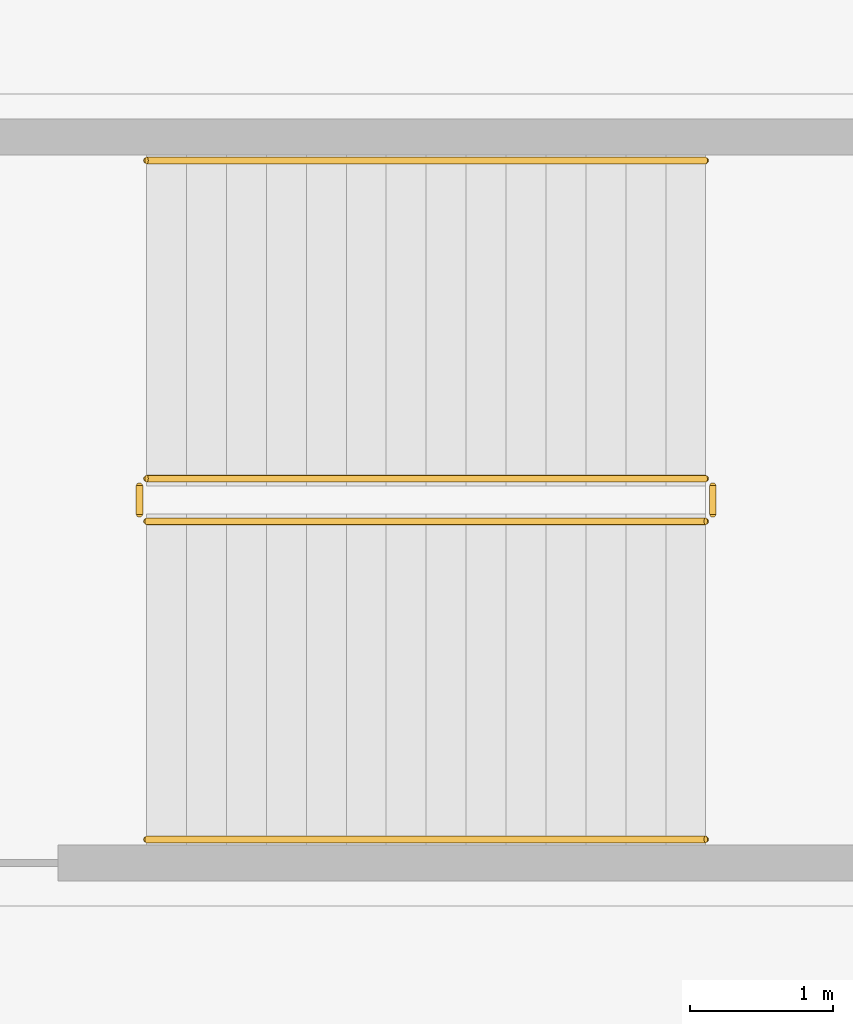
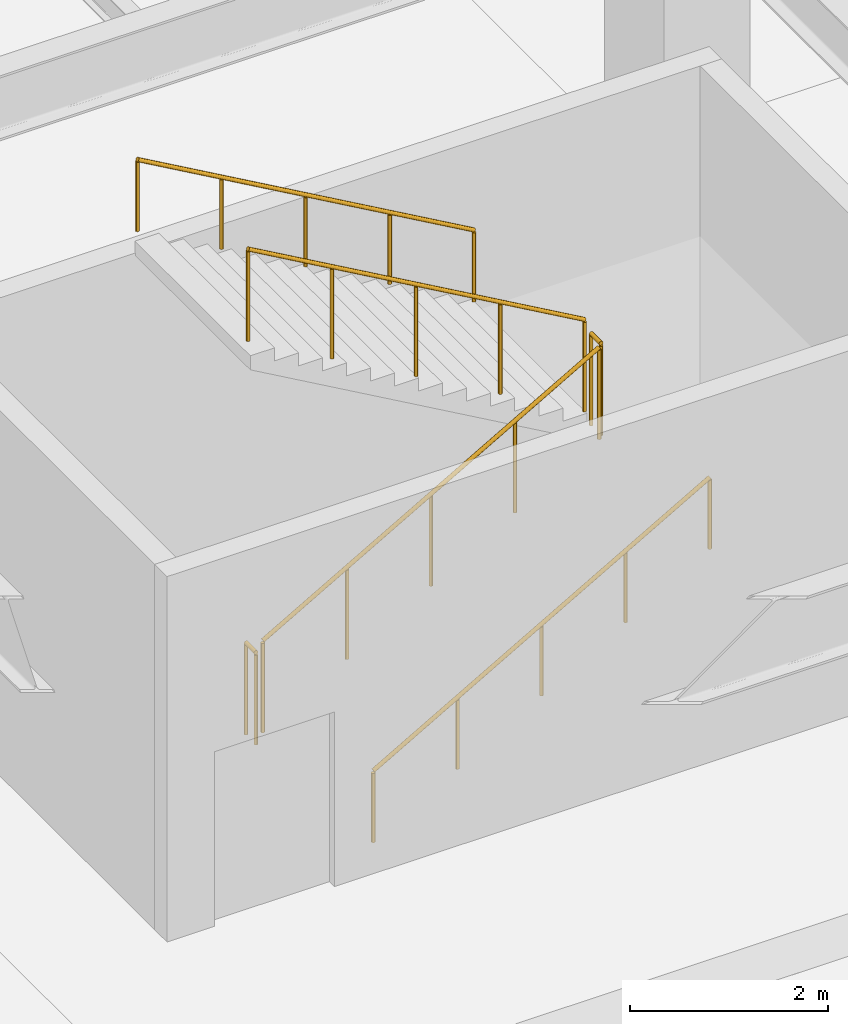
# One storey, part 55 of 56: 6 railings.
"""IFC4 building model written with IfcOpenShell, lengths in metres."""

from ifc_helpers import new_model, si_unit, direction, frame, origin, origin_2d, place, context, subcontext, project, spatial, circle, extrude, material, layer, layer_set, type_object, element, save


model = new_model("IFC4")

# Units and contexts
model_context = context("Model", 3, precision=1e-05, world=origin(), true_north=direction((0.0, 1.0)))
body_context = subcontext(model_context, "Body", "Model", "MODEL_VIEW")
ifc_project = project(units=[si_unit("LENGTHUNIT", "METRE"), si_unit("AREAUNIT", "SQUARE_METRE"), si_unit("VOLUMEUNIT", "CUBIC_METRE"), si_unit("PLANEANGLEUNIT", "RADIAN"), si_unit("MASSUNIT", "GRAM", prefix="KILO")], contexts=[model_context])

# Site, building, storey
site_placement = place(None, origin())
site = spatial("IfcSite", under=ifc_project, at=site_placement, CompositionType="ELEMENT")
building_placement = place(site_placement, origin())
building = spatial("IfcBuilding", under=site, at=building_placement, Name="Kazenohara Klinker Stadium", CompositionType="ELEMENT")
storey_placement = place(building_placement, frame((0.0, 0.0, -4.800048828125)))
storey = spatial("IfcBuildingStorey", under=building, at=storey_placement, Name="B01", CompositionType="ELEMENT", Elevation=-4.800048828125)

# Railings
ifc_material_1 = material(Name="Brushed stainless steel 304 handrail", Category="steel")
ifc_layer_1 = layer(ifc_material_1, 0.050048828125)
ifc_layer_set_1 = layer_set([ifc_layer_1], Name="Brushed stainless steel 304 handrail")
railing_type_1 = type_object("IfcRailingType", Name="RL-HND-900", PredefinedType="HANDRAIL", material=ifc_layer_set_1)
railing_1_placement = place(storey_placement, frame((129.1201171875, 147.6201171875, 0.16015625)))
element("IfcRailing", 1, at=railing_1_placement, inside=storey, type_object=railing_type_1, Name="B01 ST11 stair handrail 1", PredefinedType="HANDRAIL", context=body_context, shape_type="SweptSolid", body=[
    extrude(circle(Radius=0.02392578125, at=origin_2d()), frame((0.0, 0.0, 0.8759765625), z_axis=(0.868239814368, 0.0, 0.496144761885), x_axis=(0.0, 1.0, 0.0)), (0.0, 0.0, 1.0), 4.514892578125),
    extrude(circle(Radius=0.02099609375, at=origin_2d()), origin(), (0.0, 0.0, 1.0), 0.851806640625),
    extrude(circle(Radius=0.02099609375, at=origin_2d()), frame((0.97998046875, 0.0, 0.56005859375)), (0.0, 0.0, 1.0), 0.851806640625),
    extrude(circle(Radius=0.02099609375, at=origin_2d()), frame((1.9599609375, 0.0, 1.1201171875)), (0.0, 0.0, 1.0), 0.851806640625),
    extrude(circle(Radius=0.02099609375, at=origin_2d()), frame((2.93994140625, 0.0, 1.679931640625)), (0.0, 0.0, 1.0), 0.851806640625),
    extrude(circle(Radius=0.02099609375, at=origin_2d()), frame((3.919921875, 0.0, 2.239990234375)), (0.0, 0.0, 1.0), 0.851806640625),
])
railing_2_placement = place(storey_placement, frame((133.0400390625, 152.3798828125, 2.56005859375)))
element("IfcRailing", 2, at=railing_2_placement, inside=storey, type_object=railing_type_1, Name="B01 ST11 stair handrail 2", PredefinedType="HANDRAIL", context=body_context, shape_type="SweptSolid", body=[
    extrude(circle(Radius=0.02392578125, at=origin_2d()), frame((0.0, 0.0, 0.8759765625), z_axis=(-0.868239814368, 0.0, 0.496144761885), x_axis=(0.0, -1.0, 0.0)), (0.0, 0.0, 1.0), 4.514892578125),
    extrude(circle(Radius=0.02099609375, at=origin_2d()), origin(), (0.0, 0.0, 1.0), 0.851806640625),
    extrude(circle(Radius=0.02099609375, at=origin_2d()), frame((-0.97998046875, 0.0, 0.56005859375)), (0.0, 0.0, 1.0), 0.851806640625),
    extrude(circle(Radius=0.02099609375, at=origin_2d()), frame((-1.9599609375, 0.0, 1.1201171875)), (0.0, 0.0, 1.0), 0.851806640625),
    extrude(circle(Radius=0.02099609375, at=origin_2d()), frame((-2.93994140625, 0.0, 1.679931640625)), (0.0, 0.0, 1.0), 0.851806640625),
    extrude(circle(Radius=0.02099609375, at=origin_2d()), frame((-3.919921875, 0.0, 2.239990234375)), (0.0, 0.0, 1.0), 0.851806640625),
])
ifc_material_2 = material(Name="Painted steel stairwell guardrail", Category="steel")
ifc_layer_2 = layer(ifc_material_2, 0.06005859375)
ifc_layer_set_2 = layer_set([ifc_layer_2], Name="Painted steel stairwell guardrail")
railing_type_2 = type_object("IfcRailingType", Name="RL-STG-1120", PredefinedType="GUARDRAIL", material=ifc_layer_set_2)
railing_3_placement = place(storey_placement, frame((129.1201171875, 149.85009765625, 0.16015625)))
element("IfcRailing", 3, at=railing_3_placement, inside=storey, type_object=railing_type_2, Name="B01 ST11 stair guard 1", PredefinedType="GUARDRAIL", context=body_context, shape_type="SweptSolid", body=[
    extrude(circle(Radius=0.02392578125, at=origin_2d()), frame((0.0, 0.0, 1.1259765625), z_axis=(0.868239814368, 0.0, 0.496144761885), x_axis=(0.0, 1.0, 0.0)), (0.0, 0.0, 1.0), 4.514892578125),
    extrude(circle(Radius=0.02099609375, at=origin_2d()), origin(), (0.0, 0.0, 1.0), 1.101806640625),
    extrude(circle(Radius=0.02099609375, at=origin_2d()), frame((0.97998046875, 0.0, 0.56005859375)), (0.0, 0.0, 1.0), 1.101806640625),
    extrude(circle(Radius=0.02099609375, at=origin_2d()), frame((1.9599609375, 0.0, 1.1201171875)), (0.0, 0.0, 1.0), 1.101806640625),
    extrude(circle(Radius=0.02099609375, at=origin_2d()), frame((2.93994140625, 0.0, 1.679931640625)), (0.0, 0.0, 1.0), 1.101806640625),
    extrude(circle(Radius=0.02099609375, at=origin_2d()), frame((3.919921875, 0.0, 2.239990234375)), (0.0, 0.0, 1.0), 1.101806640625),
])
railing_4_placement = place(storey_placement, frame((133.090087890625, 149.89990234375, 2.400146484375)))
element("IfcRailing", 4, at=railing_4_placement, inside=storey, type_object=railing_type_2, Name="B01 ST11 stair guard 2", PredefinedType="GUARDRAIL", context=body_context, shape_type="SweptSolid", body=[
    extrude(circle(Radius=0.02392578125, at=origin_2d()), frame((0.0, 0.0, 1.1259765625), z_axis=(0.0, 1.0, 0.0), x_axis=(-1.0, 0.0, 0.0)), (0.0, 0.0, 1.0), 0.2001953125),
    extrude(circle(Radius=0.02099609375, at=origin_2d()), origin(), (0.0, 0.0, 1.0), 1.101806640625),
    extrude(circle(Radius=0.02099609375, at=origin_2d()), frame((0.0, 0.2001953125, 0.0)), (0.0, 0.0, 1.0), 1.101806640625),
])
railing_5_placement = place(storey_placement, frame((133.0400390625, 150.14990234375, 2.56005859375)))
element("IfcRailing", 5, at=railing_5_placement, inside=storey, type_object=railing_type_2, Name="B01 ST11 stair guard 3", PredefinedType="GUARDRAIL", context=body_context, shape_type="SweptSolid", body=[
    extrude(circle(Radius=0.02392578125, at=origin_2d()), frame((0.0, 0.0, 1.1259765625), z_axis=(-0.868239814368, 0.0, 0.496144761885), x_axis=(0.0, -1.0, 0.0)), (0.0, 0.0, 1.0), 4.514892578125),
    extrude(circle(Radius=0.02099609375, at=origin_2d()), origin(), (0.0, 0.0, 1.0), 1.101806640625),
    extrude(circle(Radius=0.02099609375, at=origin_2d()), frame((-0.97998046875, 0.0, 0.56005859375)), (0.0, 0.0, 1.0), 1.101806640625),
    extrude(circle(Radius=0.02099609375, at=origin_2d()), frame((-1.9599609375, 0.0, 1.1201171875)), (0.0, 0.0, 1.0), 1.101806640625),
    extrude(circle(Radius=0.02099609375, at=origin_2d()), frame((-2.93994140625, 0.0, 1.679931640625)), (0.0, 0.0, 1.0), 1.101806640625),
    extrude(circle(Radius=0.02099609375, at=origin_2d()), frame((-3.919921875, 0.0, 2.239990234375)), (0.0, 0.0, 1.0), 1.101806640625),
])
railing_6_placement = place(storey_placement, frame((129.070068359375, 149.89990234375, 0.0)))
element("IfcRailing", 6, at=railing_6_placement, inside=storey, type_object=railing_type_2, Name="B01 ST11 stair guard 4", PredefinedType="GUARDRAIL", context=body_context, shape_type="SweptSolid", body=[
    extrude(circle(Radius=0.02392578125, at=origin_2d()), frame((0.0, 0.0, 1.1259765625), z_axis=(0.0, 1.0, 0.0), x_axis=(-1.0, 0.0, 0.0)), (0.0, 0.0, 1.0), 0.2001953125),
    extrude(circle(Radius=0.02099609375, at=origin_2d()), origin(), (0.0, 0.0, 1.0), 1.101806640625),
    extrude(circle(Radius=0.02099609375, at=origin_2d()), frame((0.0, 0.2001953125, 0.0)), (0.0, 0.0, 1.0), 1.101806640625),
])

save(model, "model.ifc")
